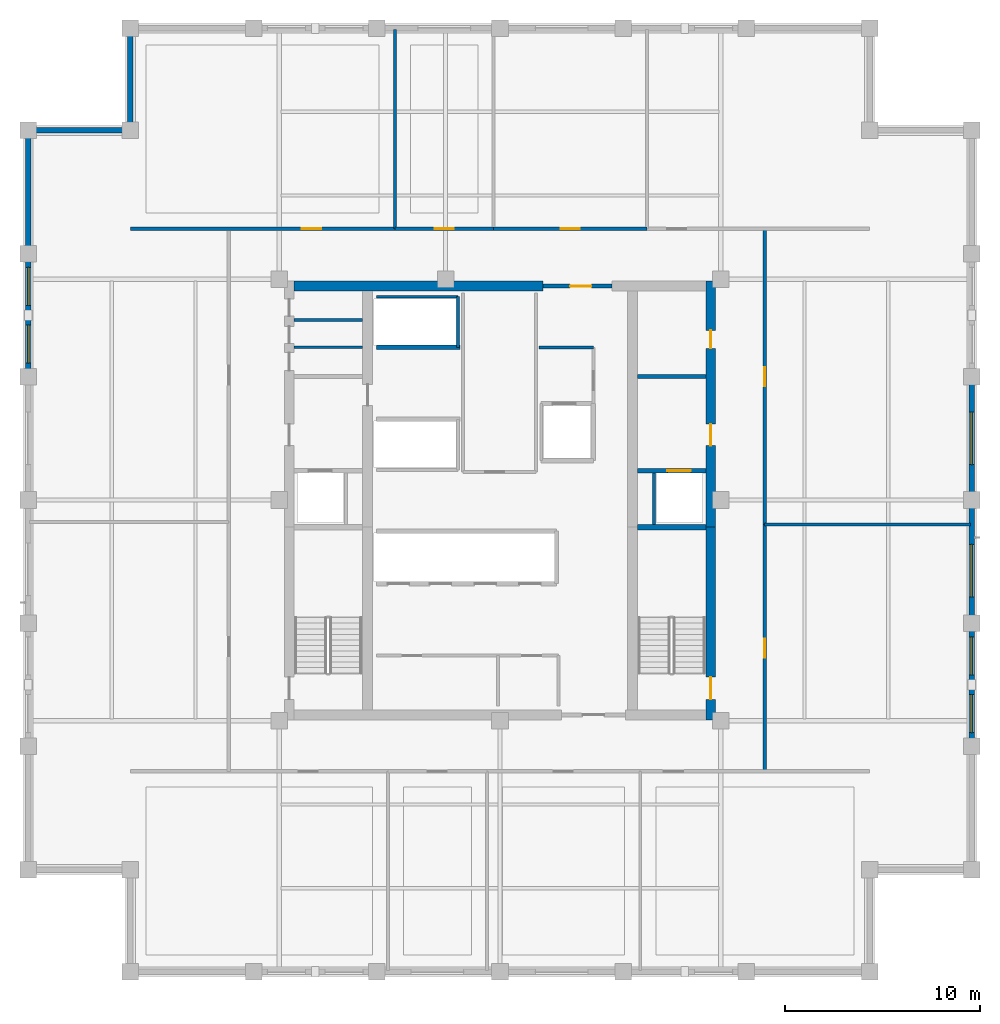
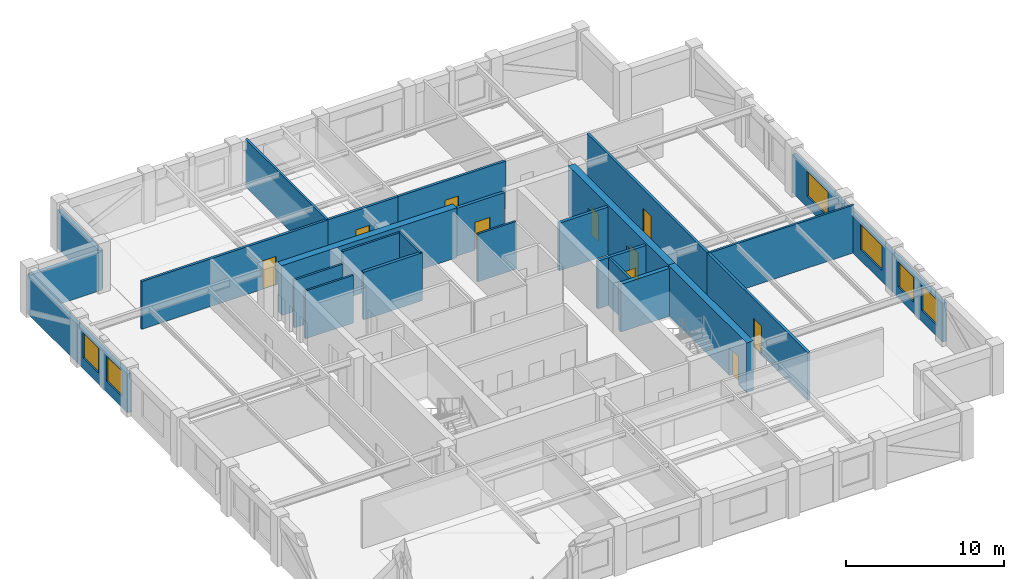
# One storey, part 7 of 11: 28 walls, 10 doors, 6 windows, 16 openings.
"""IFC4 building model written with IfcOpenShell, lengths in metres."""

from ifc_helpers import new_model, si_unit, direction, frame, frame_2d, origin, place, context, subcontext, project, spatial, rectangle, extrude, material, layer, layer_set, type_object, element, fill, save


model = new_model("IFC4")

# Units and contexts
model_context = context("Model", 3, precision=1e-05, world=origin(), true_north=direction((0.0, 1.0)))
body_context = subcontext(model_context, "Body", "Model", "MODEL_VIEW")
ifc_project = project(units=[si_unit("LENGTHUNIT", "METRE"), si_unit("AREAUNIT", "SQUARE_METRE"), si_unit("VOLUMEUNIT", "CUBIC_METRE"), si_unit("PLANEANGLEUNIT", "RADIAN"), si_unit("MASSUNIT", "GRAM", prefix="KILO")], contexts=[model_context])

# Site, building, storey
site_placement = place(None, origin())
site = spatial("IfcSite", under=ifc_project, at=site_placement, CompositionType="ELEMENT")
building_placement = place(site_placement, origin())
building = spatial("IfcBuilding", under=site, at=building_placement, Name="Nhamokura Convention Tower", CompositionType="ELEMENT")
storey_placement = place(building_placement, frame((0.0, 0.0, 198.449951171875)))
storey = spatial("IfcBuildingStorey", under=building, at=storey_placement, Name="L48", CompositionType="ELEMENT", Elevation=198.449951171875)

# Wall
ifc_material_1 = material(Name="Moisture-resistant tile-backer partition", Category="masonry")
ifc_layer_1 = layer(ifc_material_1, 0.139892578125)
ifc_layer_set_1 = layer_set([ifc_layer_1], Name="BathroomWetWall_140")
wall_type_1 = type_object("IfcWallType", Name="BathroomWetWall_140", PredefinedType="STANDARD", material=ifc_layer_set_1)
wall_1_placement = place(storey_placement, frame((21.409912109375, 39.85009765625, 0.0), z_axis=(0.0, 0.0, 1.0), x_axis=(1.0, 0.0, 0.0)))
element("IfcWall", 1, at=wall_1_placement, inside=storey, type_object=wall_type_1, Name="L48 Wall INT-L48-CWNW1", PredefinedType="STANDARD", context=body_context, shape_type="SweptSolid", body=[
    extrude(rectangle(XDim=3.530029296875, YDim=0.139892578125, at=frame_2d((1.76513671875, 0.0))), origin(), (0.0, 0.0, 1.0), 3.68505859375),
])

# Wall, openings, windows
ifc_material_2 = material(Name="Bronze-pigmented precast concrete C45/55", Category="concrete")
ifc_layer_2 = layer(ifc_material_2, 0.280029296875)
ifc_layer_set_2 = layer_set([ifc_layer_2], Name="BronzePrecastSpandrel_280")
wall_type_2 = type_object("IfcWallType", Name="BronzePrecastSpandrel_280", PredefinedType="USERDEFINED", material=ifc_layer_set_2)
wall_2_placement = place(storey_placement, frame((7.75, 38.333251953125, 0.0), z_axis=(0.0, 0.0, 1.0), x_axis=(0.0, 1.0, 0.0)))
wall_2 = element("IfcWall", 2, at=wall_2_placement, inside=storey, type_object=wall_type_2, Name="L48 Masonry-Frame Wall WEST 4", ObjectType="SPANDREL_WALL", PredefinedType="USERDEFINED", context=body_context, shape_type="SweptSolid", body=[
    extrude(rectangle(XDim=6.33349609375, YDim=0.280029296875, at=frame_2d((3.166748046875, 0.0))), origin(), (0.0, 0.0, 1.0), 2.985107421875),
])
opening_1_placement = place(wall_2_placement, frame((0.708251953125, 0.0, 0.85009765625)))
opening_1 = element("IfcOpeningElement", 3, at=opening_1_placement, cuts=wall_2, Name="Opening W-08", PredefinedType="OPENING", context=body_context, shape_type="SweptSolid", body=[
    extrude(rectangle(XDim=1.949951171875, YDim=1.93505859375, at=frame_2d((0.97509765625, 0.967529296875))), frame((0.0, 0.14990234375, 0.0), z_axis=(0.0, -1.0, 0.0), x_axis=(1.0, 0.0, 0.0)), (0.0, 0.0, 1.0), 0.300048828125),
])
opening_2_placement = place(wall_2_placement, frame((3.675048828125, 0.0, 0.85009765625)))
opening_2 = element("IfcOpeningElement", 4, at=opening_2_placement, cuts=wall_2, Name="Opening W-08", PredefinedType="OPENING", context=body_context, shape_type="SweptSolid", body=[
    extrude(rectangle(XDim=1.949951171875, YDim=1.93505859375, at=frame_2d((0.97509765625, 0.967529296875))), frame((0.0, 0.14990234375, 0.0), z_axis=(0.0, -1.0, 0.0), x_axis=(1.0, 0.0, 0.0)), (0.0, 0.0, 1.0), 0.300048828125),
])
ifc_material_3 = material(Name="Solar-control bronze low-E double glass", Category="glass")
window_type_1 = type_object("IfcWindowType", Name="OfficeModuleWindow_Z3_1950", PartitioningType="SINGLE_PANEL", PredefinedType="WINDOW", material=ifc_material_3)
window_1_placement = place(opening_1_placement, origin())
window_1 = element("IfcWindow", 5, at=window_1_placement, inside=storey, type_object=window_type_1, Name="L48 Facade Window WEST 4-1", OverallHeight=1.93505859375, OverallWidth=1.949951171875, PartitioningType="SINGLE_PANEL", PredefinedType="WINDOW", context=body_context, shape_type="SweptSolid", body=[
    extrude(rectangle(XDim=1.949951171875, YDim=1.93505859375, at=frame_2d((0.97509765625, 0.967529296875))), frame((0.0, 0.030029296875, 0.0), z_axis=(0.0, -1.0, 0.0), x_axis=(1.0, 0.0, 0.0)), (0.0, 0.0, 1.0), 0.06005859375),
])
fill(opening_1, window_1)
window_2_placement = place(opening_2_placement, origin())
window_2 = element("IfcWindow", 6, at=window_2_placement, inside=storey, type_object=window_type_1, Name="L48 Facade Window WEST 4-2", OverallHeight=1.93505859375, OverallWidth=1.949951171875, PartitioningType="SINGLE_PANEL", PredefinedType="WINDOW", context=body_context, shape_type="SweptSolid", body=[
    extrude(rectangle(XDim=1.949951171875, YDim=1.93505859375, at=frame_2d((0.97509765625, 0.967529296875))), frame((0.0, 0.030029296875, 0.0), z_axis=(0.0, -1.0, 0.0), x_axis=(1.0, 0.0, 0.0)), (0.0, 0.0, 1.0), 0.06005859375),
])
fill(opening_2, window_2)

# Wall
wall_3_placement = place(storey_placement, frame((7.75, 44.666748046875, 0.0), z_axis=(0.0, 0.0, 1.0), x_axis=(0.0, 1.0, 0.0)))
element("IfcWall", 7, at=wall_3_placement, inside=storey, type_object=wall_type_2, Name="L48 Braced-Bay Precast Wall WEST 5", ObjectType="SPANDREL_WALL", PredefinedType="USERDEFINED", context=body_context, shape_type="SweptSolid", body=[
    extrude(rectangle(XDim=6.333251953125, YDim=0.280029296875, at=frame_2d((3.16650390625, 0.0))), origin(), (0.0, 0.0, 1.0), 2.985107421875),
])

# Wall, openings, windows
wall_4_placement = place(storey_placement, frame((56.25, 25.666748046875, 0.0), z_axis=(0.0, 0.0, 1.0), x_axis=(0.0, -1.0, 0.0)))
wall_4 = element("IfcWall", 8, at=wall_4_placement, inside=storey, type_object=wall_type_2, Name="L48 Masonry-Frame Wall EAST 1", ObjectType="SPANDREL_WALL", PredefinedType="USERDEFINED", context=body_context, shape_type="SweptSolid", body=[
    extrude(rectangle(XDim=6.33349609375, YDim=0.280029296875, at=frame_2d((3.166748046875, 0.0))), origin(), (0.0, 0.0, 1.0), 2.985107421875),
])
opening_3_placement = place(wall_4_placement, frame((0.708251953125, 0.0, 0.85009765625)))
opening_3 = element("IfcOpeningElement", 9, at=opening_3_placement, cuts=wall_4, Name="Opening W-08", PredefinedType="OPENING", context=body_context, shape_type="SweptSolid", body=[
    extrude(rectangle(XDim=1.949951171875, YDim=1.93505859375, at=frame_2d((0.97509765625, 0.967529296875))), frame((0.0, 0.14990234375, 0.0), z_axis=(0.0, -1.0, 0.0), x_axis=(1.0, 0.0, 0.0)), (0.0, 0.0, 1.0), 0.300048828125),
])
opening_4_placement = place(wall_4_placement, frame((3.675048828125, 0.0, 0.85009765625)))
opening_4 = element("IfcOpeningElement", 10, at=opening_4_placement, cuts=wall_4, Name="Opening W-08", PredefinedType="OPENING", context=body_context, shape_type="SweptSolid", body=[
    extrude(rectangle(XDim=1.949951171875, YDim=1.93505859375, at=frame_2d((0.97509765625, 0.967529296875))), frame((0.0, 0.14990234375, 0.0), z_axis=(0.0, -1.0, 0.0), x_axis=(1.0, 0.0, 0.0)), (0.0, 0.0, 1.0), 0.300048828125),
])
window_3_placement = place(opening_3_placement, origin())
window_3 = element("IfcWindow", 11, at=window_3_placement, inside=storey, type_object=window_type_1, Name="L48 Facade Window EAST 1-1", OverallHeight=1.93505859375, OverallWidth=1.949951171875, PartitioningType="SINGLE_PANEL", PredefinedType="WINDOW", context=body_context, shape_type="SweptSolid", body=[
    extrude(rectangle(XDim=1.949951171875, YDim=1.93505859375, at=frame_2d((0.97509765625, 0.967529296875))), frame((0.0, 0.030029296875, 0.0), z_axis=(0.0, -1.0, 0.0), x_axis=(1.0, 0.0, 0.0)), (0.0, 0.0, 1.0), 0.06005859375),
])
fill(opening_3, window_3)
window_4_placement = place(opening_4_placement, origin())
window_4 = element("IfcWindow", 12, at=window_4_placement, inside=storey, type_object=window_type_1, Name="L48 Facade Window EAST 1-2", OverallHeight=1.93505859375, OverallWidth=1.949951171875, PartitioningType="SINGLE_PANEL", PredefinedType="WINDOW", context=body_context, shape_type="SweptSolid", body=[
    extrude(rectangle(XDim=1.949951171875, YDim=1.93505859375, at=frame_2d((0.97509765625, 0.967529296875))), frame((0.0, 0.030029296875, 0.0), z_axis=(0.0, -1.0, 0.0), x_axis=(1.0, 0.0, 0.0)), (0.0, 0.0, 1.0), 0.06005859375),
])
fill(opening_4, window_4)

# Wall, opening, window
wall_5_placement = place(storey_placement, frame((56.25, 32.0, 0.0), z_axis=(0.0, 0.0, 1.0), x_axis=(0.0, -1.0, 0.0)))
wall_5 = element("IfcWall", 13, at=wall_5_placement, inside=storey, type_object=wall_type_2, Name="L48 Masonry-Frame Wall EAST 2", ObjectType="SPANDREL_WALL", PredefinedType="USERDEFINED", context=body_context, shape_type="SweptSolid", body=[
    extrude(rectangle(XDim=6.333251953125, YDim=0.280029296875, at=frame_2d((3.16650390625, 0.0))), origin(), (0.0, 0.0, 1.0), 2.985107421875),
])
opening_5_placement = place(wall_5_placement, frame((2.279296875, 0.0, 0.85009765625)))
opening_5 = element("IfcOpeningElement", 14, at=opening_5_placement, cuts=wall_5, Name="Opening W-07", PredefinedType="OPENING", context=body_context, shape_type="SweptSolid", body=[
    extrude(rectangle(XDim=2.699951171875, YDim=1.93505859375, at=frame_2d((1.35009765625, 0.967529296875))), frame((0.0, 0.14990234375, 0.0), z_axis=(0.0, -1.0, 0.0), x_axis=(1.0, 0.0, 0.0)), (0.0, 0.0, 1.0), 0.300048828125),
])
ifc_material_4 = material(Name="Solar-control bronze low-E double glass", Category="glass")
window_type_2 = type_object("IfcWindowType", Name="OfficeModuleWindow_Z3_2700", PartitioningType="DOUBLE_PANEL_VERTICAL", PredefinedType="WINDOW", material=ifc_material_4)
window_5_placement = place(opening_5_placement, origin())
window_5 = element("IfcWindow", 15, at=window_5_placement, inside=storey, type_object=window_type_2, Name="L48 Facade Window EAST 2-2", OverallHeight=1.93505859375, OverallWidth=2.699951171875, PartitioningType="SINGLE_PANEL", PredefinedType="WINDOW", context=body_context, shape_type="SweptSolid", body=[
    extrude(rectangle(XDim=2.699951171875, YDim=1.93505859375, at=frame_2d((1.35009765625, 0.967529296875))), frame((0.0, 0.030029296875, 0.0), z_axis=(0.0, -1.0, 0.0), x_axis=(1.0, 0.0, 0.0)), (0.0, 0.0, 1.0), 0.06005859375),
])
fill(opening_5, window_5)

wall_6_placement = place(storey_placement, frame((56.25, 38.333251953125, 0.0), z_axis=(0.0, 0.0, 1.0), x_axis=(0.0, -1.0, 0.0)))
wall_6 = element("IfcWall", 16, at=wall_6_placement, inside=storey, type_object=wall_type_2, Name="L48 Masonry-Frame Wall EAST 3", ObjectType="SPANDREL_WALL", PredefinedType="USERDEFINED", context=body_context, shape_type="SweptSolid", body=[
    extrude(rectangle(XDim=6.333251953125, YDim=0.280029296875, at=frame_2d((3.16650390625, 0.0))), origin(), (0.0, 0.0, 1.0), 2.985107421875),
])
opening_6_placement = place(wall_6_placement, frame((1.816650390625, 0.0, 0.85009765625)))
opening_6 = element("IfcOpeningElement", 17, at=opening_6_placement, cuts=wall_6, Name="Opening W-07", PredefinedType="OPENING", context=body_context, shape_type="SweptSolid", body=[
    extrude(rectangle(XDim=2.699951171875, YDim=1.93505859375, at=frame_2d((1.35009765625, 0.967529296875))), frame((0.0, 0.14990234375, 0.0), z_axis=(0.0, -1.0, 0.0), x_axis=(1.0, 0.0, 0.0)), (0.0, 0.0, 1.0), 0.300048828125),
])
window_6_placement = place(opening_6_placement, origin())
window_6 = element("IfcWindow", 18, at=window_6_placement, inside=storey, type_object=window_type_2, Name="L48 Facade Window EAST 3", OverallHeight=1.93505859375, OverallWidth=2.699951171875, PartitioningType="SINGLE_PANEL", PredefinedType="WINDOW", context=body_context, shape_type="SweptSolid", body=[
    extrude(rectangle(XDim=2.699951171875, YDim=1.93505859375, at=frame_2d((1.35009765625, 0.967529296875))), frame((0.0, 0.030029296875, 0.0), z_axis=(0.0, -1.0, 0.0), x_axis=(1.0, 0.0, 0.0)), (0.0, 0.0, 1.0), 0.06005859375),
])
fill(opening_6, window_6)

# Walls
for number, where, z_axis, x_axis, name in (
    (19, (13.0, 51.0, 0.0), (0.0, 0.0, 1.0), (0.0, 1.0, 0.0), "L48 Notched Corner Wall NW1"),
    (20, (7.75, 51.0, 0.0), (0.0, 0.0, 1.0), (1.0, 0.0, 0.0), "L48 Notched Corner Wall NW2"),
):
    element("IfcWall", number, at=place(storey_placement, frame(where, z_axis=z_axis, x_axis=x_axis)), inside=storey, type_object=wall_type_2, Name=name, ObjectType="SPANDREL_WALL", PredefinedType="USERDEFINED", context=body_context, shape_type="SweptSolid", body=[
        extrude(rectangle(XDim=5.25, YDim=0.280029296875, at=frame_2d((2.625, 0.0))), origin(), (0.0, 0.0, 1.0), 2.985107421875),
    ])

# Wall, opening, door
ifc_material_5 = material(Name="Concrete C60/75", Category="concrete")
ifc_layer_3 = layer(ifc_material_5, 0.5)
ifc_layer_set_3 = layer_set([ifc_layer_3], Name="CoreShearWall_500")
wall_type_3 = type_object("IfcWallType", Name="CoreShearWall_500", PredefinedType="SHEAR", material=ifc_layer_set_3)
wall_7_placement = place(storey_placement, frame((42.840087890625, 20.699951171875, 0.0), z_axis=(0.0, 0.0, 1.0), x_axis=(0.0, 1.0, 0.0)))
wall_7 = element("IfcWall", 21, at=wall_7_placement, inside=storey, type_object=wall_type_3, Name="L48 Core Shear Wall CW-ES", PredefinedType="SHEAR", context=body_context, shape_type="SweptSolid", body=[
    extrude(rectangle(XDim=9.900146484375, YDim=0.5, at=frame_2d((4.9501953125, 0.0))), origin(), (0.0, 0.0, 1.0), 3.85009765625),
])
opening_7_placement = place(wall_7_placement, frame((1.050048828125, 0.0, 0.0)))
opening_7 = element("IfcOpeningElement", 22, at=opening_7_placement, cuts=wall_7, Name="Opening D-04", PredefinedType="OPENING", context=body_context, shape_type="SweptSolid", body=[
    extrude(rectangle(XDim=1.14990234375, YDim=2.14990234375, at=frame_2d((0.574951171875, 1.074951171875))), frame((0.0, 0.260009765625, 0.0), z_axis=(0.0, -1.0, 0.0), x_axis=(1.0, 0.0, 0.0)), (0.0, 0.0, 1.0), 0.52001953125),
])
ifc_material_6 = material(Name="Fire-rated steel door", Category="steel")
door_type_1 = type_object("IfcDoorType", Name="StairSmokeDoor_1150", OperationType="NOTDEFINED", PredefinedType="DOOR", material=ifc_material_6)
door_1_placement = place(opening_7_placement, origin())
door_1 = element("IfcDoor", 23, at=door_1_placement, inside=storey, type_object=door_type_1, Name="L48 Core Door INT-L48-D-ST02", OperationType="SINGLE_SWING_RIGHT", OverallHeight=2.14990234375, OverallWidth=1.14990234375, PredefinedType="DOOR", context=body_context, shape_type="SweptSolid", body=[
    extrude(rectangle(XDim=1.14990234375, YDim=2.14990234375, at=frame_2d((0.574951171875, 1.074951171875))), frame((0.0, 0.02490234375, 0.0), z_axis=(0.0, -1.0, 0.0), x_axis=(1.0, 0.0, 0.0)), (0.0, 0.0, 1.0), 0.050048828125),
])
fill(opening_7, door_1)

# Wall, openings, doors
wall_8_placement = place(storey_placement, frame((42.840087890625, 30.60009765625, 0.0), z_axis=(0.0, 0.0, 1.0), x_axis=(0.0, 1.0, 0.0)))
wall_8 = element("IfcWall", 24, at=wall_8_placement, inside=storey, type_object=wall_type_3, Name="L48 Core Shear Wall CW-EN", PredefinedType="SHEAR", context=body_context, shape_type="SweptSolid", body=[
    extrude(rectangle(XDim=12.64990234375, YDim=0.5, at=frame_2d((6.324951171875, 0.0))), origin(), (0.0, 0.0, 1.0), 3.85009765625),
])
opening_8_placement = place(wall_8_placement, frame((4.199951171875, 0.0, 0.0)))
opening_8 = element("IfcOpeningElement", 25, at=opening_8_placement, cuts=wall_8, Name="Opening D-05", PredefinedType="OPENING", context=body_context, shape_type="SweptSolid", body=[
    extrude(rectangle(XDim=1.10009765625, YDim=2.14990234375, at=frame_2d((0.550048828125, 1.074951171875))), frame((0.0, 0.260009765625, 0.0), z_axis=(0.0, -1.0, 0.0), x_axis=(1.0, 0.0, 0.0)), (0.0, 0.0, 1.0), 0.52001953125),
])
opening_9_placement = place(wall_8_placement, frame((9.199951171875, 0.0, 0.0)))
opening_9 = element("IfcOpeningElement", 26, at=opening_9_placement, cuts=wall_8, Name="Opening D-10", PredefinedType="OPENING", context=body_context, shape_type="SweptSolid", body=[
    extrude(rectangle(XDim=0.919921875, YDim=2.10009765625, at=frame_2d((0.4599609375, 1.050048828125))), frame((0.0, 0.260009765625, 0.0), z_axis=(0.0, -1.0, 0.0), x_axis=(1.0, 0.0, 0.0)), (0.0, 0.0, 1.0), 0.52001953125),
])
ifc_material_7 = material(Name="Solid oak hardwood", Category="wood")
door_type_2 = type_object("IfcDoorType", Name="AccessibleWCDoor_920", OperationType="NOTDEFINED", PredefinedType="DOOR", material=ifc_material_7)
door_2_placement = place(opening_9_placement, origin())
door_2 = element("IfcDoor", 27, at=door_2_placement, inside=storey, type_object=door_type_2, Name="L48 Core Door INT-L48-D-UWC", OperationType="SINGLE_SWING_RIGHT", OverallHeight=2.10009765625, OverallWidth=0.919921875, PredefinedType="DOOR", context=body_context, shape_type="SweptSolid", body=[
    extrude(rectangle(XDim=0.919921875, YDim=2.10009765625, at=frame_2d((0.4599609375, 1.050048828125))), frame((0.0, 0.02490234375, 0.0), z_axis=(0.0, -1.0, 0.0), x_axis=(1.0, 0.0, 0.0)), (0.0, 0.0, 1.0), 0.050048828125),
])
fill(opening_9, door_2)
ifc_material_8 = material(Name="Fire-rated steel door", Category="steel")
door_type_3 = type_object("IfcDoorType", Name="FireLobbyDoor_1100", OperationType="NOTDEFINED", PredefinedType="DOOR", material=ifc_material_8)
door_3_placement = place(opening_8_placement, origin())
door_3 = element("IfcDoor", 28, at=door_3_placement, inside=storey, type_object=door_type_3, Name="L48 Core Door INT-L48-D-FFLE", OperationType="SINGLE_SWING_LEFT", OverallHeight=2.14990234375, OverallWidth=1.10009765625, PredefinedType="DOOR", context=body_context, shape_type="SweptSolid", body=[
    extrude(rectangle(XDim=1.10009765625, YDim=2.14990234375, at=frame_2d((0.550048828125, 1.074951171875))), frame((0.0, 0.02490234375, 0.0), z_axis=(0.0, -1.0, 0.0), x_axis=(1.0, 0.0, 0.0)), (0.0, 0.0, 1.0), 0.050048828125),
])
fill(opening_8, door_3)

# Wall
wall_9_placement = place(storey_placement, frame((21.409912109375, 43.0, 0.0), z_axis=(0.0, 0.0, 1.0), x_axis=(1.0, 0.0, 0.0)))
element("IfcWall", 29, at=wall_9_placement, inside=storey, type_object=wall_type_3, Name="L48 Core Shear Wall CW-N1", PredefinedType="SHEAR", context=body_context, shape_type="SweptSolid", body=[
    extrude(rectangle(XDim=12.7900390625, YDim=0.5, at=frame_2d((6.39501953125, 0.0))), origin(), (0.0, 0.0, 1.0), 3.85009765625),
])

# Wall, opening, door
ifc_material_9 = material(Name="Fire-rated gypsum and masonry partition", Category="masonry")
ifc_layer_4 = layer(ifc_material_9, 0.179931640625)
ifc_layer_set_4 = layer_set([ifc_layer_4], Name="CorridorRatedWall_180")
wall_type_4 = type_object("IfcWallType", Name="CorridorRatedWall_180", PredefinedType="STANDARD", material=ifc_layer_set_4)
wall_10_placement = place(storey_placement, frame((13.0, 45.949951171875, 0.0), z_axis=(0.0, 0.0, 1.0), x_axis=(1.0, 0.0, 0.0)))
wall_10 = element("IfcWall", 30, at=wall_10_placement, inside=storey, type_object=wall_type_4, Name="L48 Wall INT-L48-CW-N00", PredefinedType="STANDARD", context=body_context, shape_type="SweptSolid", body=[
    extrude(rectangle(XDim=13.591796875, YDim=0.179931640625, at=frame_2d((6.7958984375, 0.0))), origin(), (0.0, 0.0, 1.0), 3.68505859375),
])
opening_10_placement = place(wall_10_placement, frame((8.82080078125, 0.0, 0.0)))
opening_10 = element("IfcOpeningElement", 31, at=opening_10_placement, cuts=wall_10, Name="Opening D-08", PredefinedType="OPENING", context=body_context, shape_type="SweptSolid", body=[
    extrude(rectangle(XDim=0.97998046875, YDim=2.199951171875, at=frame_2d((0.489990234375, 1.10009765625))), frame((0.0, 0.099853515625, 0.0), z_axis=(0.0, -1.0, 0.0), x_axis=(1.0, 0.0, 0.0)), (0.0, 0.0, 1.0), 0.199951171875),
])
ifc_material_10 = material(Name="Solid oak hardwood", Category="wood")
door_type_4 = type_object("IfcDoorType", Name="OfficeEntryDoor_980", OperationType="NOTDEFINED", PredefinedType="DOOR", material=ifc_material_10)
door_4_placement = place(opening_10_placement, origin())
door_4 = element("IfcDoor", 32, at=door_4_placement, inside=storey, type_object=door_type_4, Name="L48 Law Library N01 Door", OperationType="SINGLE_SWING_LEFT", OverallHeight=2.199951171875, OverallWidth=0.97998046875, PredefinedType="DOOR", context=body_context, shape_type="SweptSolid", body=[
    extrude(rectangle(XDim=0.97998046875, YDim=2.199951171875, at=frame_2d((0.489990234375, 1.10009765625))), frame((0.0, 0.02490234375, 0.0), z_axis=(0.0, -1.0, 0.0), x_axis=(1.0, 0.0, 0.0)), (0.0, 0.0, 1.0), 0.050048828125),
])
fill(opening_10, door_4)

wall_11_placement = place(storey_placement, frame((26.591796875, 45.949951171875, 0.0), z_axis=(0.0, 0.0, 1.0), x_axis=(1.0, 0.0, 0.0)))
wall_11 = element("IfcWall", 33, at=wall_11_placement, inside=storey, type_object=wall_type_4, Name="L48 Wall INT-L48-CW-N01", PredefinedType="STANDARD", context=body_context, shape_type="SweptSolid", body=[
    extrude(rectangle(XDim=5.083251953125, YDim=0.179931640625, at=frame_2d((2.54150390625, 0.0))), origin(), (0.0, 0.0, 1.0), 3.68505859375),
])
opening_11_placement = place(wall_11_placement, frame((2.041748046875, 0.0, 0.0)))
opening_11 = element("IfcOpeningElement", 34, at=opening_11_placement, cuts=wall_11, Name="Opening D-08", PredefinedType="OPENING", context=body_context, shape_type="SweptSolid", body=[
    extrude(rectangle(XDim=0.97998046875, YDim=2.199951171875, at=frame_2d((0.489990234375, 1.10009765625))), frame((0.0, 0.099853515625, 0.0), z_axis=(0.0, -1.0, 0.0), x_axis=(1.0, 0.0, 0.0)), (0.0, 0.0, 1.0), 0.199951171875),
])
door_5_placement = place(opening_11_placement, origin())
door_5 = element("IfcDoor", 35, at=door_5_placement, inside=storey, type_object=door_type_4, Name="L48 Boardroom N02 Door", OperationType="SINGLE_SWING_RIGHT", OverallHeight=2.199951171875, OverallWidth=0.97998046875, PredefinedType="DOOR", context=body_context, shape_type="SweptSolid", body=[
    extrude(rectangle(XDim=0.97998046875, YDim=2.199951171875, at=frame_2d((0.489990234375, 1.10009765625))), frame((0.0, 0.02490234375, 0.0), z_axis=(0.0, -1.0, 0.0), x_axis=(1.0, 0.0, 0.0)), (0.0, 0.0, 1.0), 0.050048828125),
])
fill(opening_11, door_5)

wall_12_placement = place(storey_placement, frame((31.675048828125, 45.949951171875, 0.0), z_axis=(0.0, 0.0, 1.0), x_axis=(1.0, 0.0, 0.0)))
wall_12 = element("IfcWall", 36, at=wall_12_placement, inside=storey, type_object=wall_type_4, Name="L48 Wall INT-L48-CW-N02", PredefinedType="STANDARD", context=body_context, shape_type="SweptSolid", body=[
    extrude(rectangle(XDim=7.88330078125, YDim=0.179931640625, at=frame_2d((3.941650390625, 0.0))), origin(), (0.0, 0.0, 1.0), 3.68505859375),
])
opening_12_placement = place(wall_12_placement, frame((3.441650390625, 0.0, 0.0)))
opening_12 = element("IfcOpeningElement", 37, at=opening_12_placement, cuts=wall_12, Name="Opening D-08", PredefinedType="OPENING", context=body_context, shape_type="SweptSolid", body=[
    extrude(rectangle(XDim=0.97998046875, YDim=2.199951171875, at=frame_2d((0.489990234375, 1.10009765625))), frame((0.0, 0.099853515625, 0.0), z_axis=(0.0, -1.0, 0.0), x_axis=(1.0, 0.0, 0.0)), (0.0, 0.0, 1.0), 0.199951171875),
])
door_6_placement = place(opening_12_placement, origin())
door_6 = element("IfcDoor", 38, at=door_6_placement, inside=storey, type_object=door_type_4, Name="L48 Private Office N03 Door", OperationType="SINGLE_SWING_LEFT", OverallHeight=2.199951171875, OverallWidth=0.97998046875, PredefinedType="DOOR", context=body_context, shape_type="SweptSolid", body=[
    extrude(rectangle(XDim=0.97998046875, YDim=2.199951171875, at=frame_2d((0.489990234375, 1.10009765625))), frame((0.0, 0.02490234375, 0.0), z_axis=(0.0, -1.0, 0.0), x_axis=(1.0, 0.0, 0.0)), (0.0, 0.0, 1.0), 0.050048828125),
])
fill(opening_12, door_6)

wall_13_placement = place(storey_placement, frame((45.60009765625, 18.050048828125, 0.0), z_axis=(0.0, 0.0, 1.0), x_axis=(0.0, 1.0, 0.0)))
wall_13 = element("IfcWall", 39, at=wall_13_placement, inside=storey, type_object=wall_type_4, Name="L48 Wall INT-L48-CW-E00", PredefinedType="STANDARD", context=body_context, shape_type="SweptSolid", body=[
    extrude(rectangle(XDim=12.699951171875, YDim=0.179931640625, at=frame_2d((6.35009765625, 0.0))), origin(), (0.0, 0.0, 1.0), 3.68505859375),
])
opening_13_placement = place(wall_13_placement, frame((5.85009765625, 0.0, 0.0)))
opening_13 = element("IfcOpeningElement", 40, at=opening_13_placement, cuts=wall_13, Name="Opening D-08", PredefinedType="OPENING", context=body_context, shape_type="SweptSolid", body=[
    extrude(rectangle(XDim=0.97998046875, YDim=2.199951171875, at=frame_2d((0.489990234375, 1.10009765625))), frame((0.0, 0.099853515625, 0.0), z_axis=(0.0, -1.0, 0.0), x_axis=(1.0, 0.0, 0.0)), (0.0, 0.0, 1.0), 0.199951171875),
])
door_7_placement = place(opening_13_placement, origin())
door_7 = element("IfcDoor", 41, at=door_7_placement, inside=storey, type_object=door_type_4, Name="L48 Open Plan Office E01 Door", OperationType="SINGLE_SWING_LEFT", OverallHeight=2.199951171875, OverallWidth=0.97998046875, PredefinedType="DOOR", context=body_context, shape_type="SweptSolid", body=[
    extrude(rectangle(XDim=0.97998046875, YDim=2.199951171875, at=frame_2d((0.489990234375, 1.10009765625))), frame((0.0, 0.02490234375, 0.0), z_axis=(0.0, -1.0, 0.0), x_axis=(1.0, 0.0, 0.0)), (0.0, 0.0, 1.0), 0.050048828125),
])
fill(opening_13, door_7)

wall_14_placement = place(storey_placement, frame((45.60009765625, 30.75, 0.0), z_axis=(0.0, 0.0, 1.0), x_axis=(0.0, 1.0, 0.0)))
wall_14 = element("IfcWall", 42, at=wall_14_placement, inside=storey, type_object=wall_type_4, Name="L48 Wall INT-L48-CW-E01", PredefinedType="STANDARD", context=body_context, shape_type="SweptSolid", body=[
    extrude(rectangle(XDim=15.199951171875, YDim=0.179931640625, at=frame_2d((7.60009765625, 0.0))), origin(), (0.0, 0.0, 1.0), 3.68505859375),
])
opening_14_placement = place(wall_14_placement, frame((7.10009765625, 0.0, 0.0)))
opening_14 = element("IfcOpeningElement", 43, at=opening_14_placement, cuts=wall_14, Name="Opening D-08", PredefinedType="OPENING", context=body_context, shape_type="SweptSolid", body=[
    extrude(rectangle(XDim=0.97998046875, YDim=2.199951171875, at=frame_2d((0.489990234375, 1.10009765625))), frame((0.0, 0.099853515625, 0.0), z_axis=(0.0, -1.0, 0.0), x_axis=(1.0, 0.0, 0.0)), (0.0, 0.0, 1.0), 0.199951171875),
])
door_8_placement = place(opening_14_placement, origin())
door_8 = element("IfcDoor", 44, at=door_8_placement, inside=storey, type_object=door_type_4, Name="L48 Collaboration Lounge E02 Door", OperationType="SINGLE_SWING_RIGHT", OverallHeight=2.199951171875, OverallWidth=0.97998046875, PredefinedType="DOOR", context=body_context, shape_type="SweptSolid", body=[
    extrude(rectangle(XDim=0.97998046875, YDim=2.199951171875, at=frame_2d((0.489990234375, 1.10009765625))), frame((0.0, 0.02490234375, 0.0), z_axis=(0.0, -1.0, 0.0), x_axis=(1.0, 0.0, 0.0)), (0.0, 0.0, 1.0), 0.050048828125),
])
fill(opening_14, door_8)

ifc_material_11 = material(Name="Autoclaved concrete blockwork", Category="masonry")
ifc_layer_5 = layer(ifc_material_11, 0.219970703125)
ifc_layer_set_5 = layer_set([ifc_layer_5], Name="FireLobbyWall_220")
wall_type_5 = type_object("IfcWallType", Name="FireLobbyWall_220", PredefinedType="STANDARD", material=ifc_layer_set_5)
wall_15_placement = place(storey_placement, frame((39.06005859375, 33.5, 0.0), z_axis=(0.0, 0.0, 1.0), x_axis=(1.0, 0.0, 0.0)))
wall_15 = element("IfcWall", 45, at=wall_15_placement, inside=storey, type_object=wall_type_5, Name="L48 Wall INT-L48-FFE-S", PredefinedType="STANDARD", context=body_context, shape_type="SweptSolid", body=[
    extrude(rectangle(XDim=3.530029296875, YDim=0.219970703125, at=frame_2d((1.76513671875, 0.0))), origin(), (0.0, 0.0, 1.0), 3.68505859375),
])
opening_15_placement = place(wall_15_placement, frame((1.550048828125, 0.0, 0.0)))
opening_15 = element("IfcOpeningElement", 46, at=opening_15_placement, cuts=wall_15, Name="Opening LD-02", PredefinedType="OPENING", context=body_context, shape_type="SweptSolid", body=[
    extrude(rectangle(XDim=1.199951171875, YDim=2.199951171875, at=frame_2d((0.60009765625, 1.10009765625))), frame((0.0, 0.119873046875, 0.0), z_axis=(0.0, -1.0, 0.0), x_axis=(1.0, 0.0, 0.0)), (0.0, 0.0, 1.0), 0.239990234375),
])
ifc_material_12 = material(Name="Anodised bronze stainless steel", Category="steel")
door_type_5 = type_object("IfcDoorType", Name="LiftLandingDoor_FireService", OperationType="DOUBLE_DOOR_SLIDING", PredefinedType="DOOR", material=ifc_material_12)
door_9_placement = place(opening_15_placement, origin())
door_9 = element("IfcDoor", 47, at=door_9_placement, inside=storey, type_object=door_type_5, Name="L48 Firefighting Lift LF-02 Door", OperationType="DOUBLE_DOOR_SLIDING", OverallHeight=2.199951171875, OverallWidth=1.199951171875, PredefinedType="DOOR", context=body_context, shape_type="SweptSolid", body=[
    extrude(rectangle(XDim=1.199951171875, YDim=2.199951171875, at=frame_2d((0.60009765625, 1.10009765625))), frame((0.0, 0.02490234375, 0.0), z_axis=(0.0, -1.0, 0.0), x_axis=(1.0, 0.0, 0.0)), (0.0, 0.0, 1.0), 0.050048828125),
])
fill(opening_15, door_9)

# Walls
wall_16_placement = place(storey_placement, frame((39.06005859375, 38.35009765625, 0.0), z_axis=(0.0, 0.0, 1.0), x_axis=(1.0, 0.0, 0.0)))
element("IfcWall", 48, at=wall_16_placement, inside=storey, type_object=wall_type_5, Name="L48 Wall INT-L48-FFE-N", PredefinedType="STANDARD", context=body_context, shape_type="SweptSolid", body=[
    extrude(rectangle(XDim=3.530029296875, YDim=0.219970703125, at=frame_2d((1.76513671875, 0.0))), origin(), (0.0, 0.0, 1.0), 3.68505859375),
])
wall_17_placement = place(storey_placement, frame((25.64990234375, 39.85009765625, 0.0), z_axis=(0.0, 0.0, 1.0), x_axis=(1.0, 0.0, 0.0)))
element("IfcWall", 49, at=wall_17_placement, inside=storey, type_object=wall_type_5, Name="L48 Wall INT-L48-B3N", PredefinedType="STANDARD", context=body_context, shape_type="SweptSolid", body=[
    extrude(rectangle(XDim=4.300048828125, YDim=0.219970703125, at=frame_2d((2.14990234375, 0.0))), origin(), (0.0, 0.0, 1.0), 3.68505859375),
])

# Wall, opening, door
wall_18_placement = place(storey_placement, frame((34.199951171875, 43.0, 0.0), z_axis=(0.0, 0.0, 1.0), x_axis=(1.0, 0.0, 0.0)))
wall_18 = element("IfcWall", 50, at=wall_18_placement, inside=storey, type_object=wall_type_5, Name="L48 Wall INT-L48-CPORT-N", PredefinedType="STANDARD", context=body_context, shape_type="SweptSolid", body=[
    extrude(rectangle(XDim=3.550048828125, YDim=0.219970703125, at=frame_2d((1.77490234375, 0.0))), origin(), (0.0, 0.0, 1.0), 3.68505859375),
])
opening_16_placement = place(wall_18_placement, frame((1.39990234375, 0.0, 0.0)))
opening_16 = element("IfcOpeningElement", 51, at=opening_16_placement, cuts=wall_18, Name="Opening D-05", PredefinedType="OPENING", context=body_context, shape_type="SweptSolid", body=[
    extrude(rectangle(XDim=1.10009765625, YDim=2.14990234375, at=frame_2d((0.550048828125, 1.074951171875))), frame((0.0, 0.119873046875, 0.0), z_axis=(0.0, -1.0, 0.0), x_axis=(1.0, 0.0, 0.0)), (0.0, 0.0, 1.0), 0.239990234375),
])
door_10_placement = place(opening_16_placement, origin())
door_10 = element("IfcDoor", 52, at=door_10_placement, inside=storey, type_object=door_type_3, Name="L48 North Core Lobby Portal Door", OperationType="SINGLE_SWING_RIGHT", OverallHeight=2.14990234375, OverallWidth=1.10009765625, PredefinedType="DOOR", context=body_context, shape_type="SweptSolid", body=[
    extrude(rectangle(XDim=1.10009765625, YDim=2.14990234375, at=frame_2d((0.550048828125, 1.074951171875))), frame((0.0, 0.02490234375, 0.0), z_axis=(0.0, -1.0, 0.0), x_axis=(1.0, 0.0, 0.0)), (0.0, 0.0, 1.0), 0.050048828125),
])
fill(opening_16, door_10)

# Walls
ifc_material_13 = material(Name="Acoustic gypsum stud partition", Category="masonry")
ifc_layer_6 = layer(ifc_material_13, 0.14990234375)
ifc_layer_set_6 = layer_set([ifc_layer_6], Name="InteriorPartition_150")
wall_type_6 = type_object("IfcWallType", Name="InteriorPartition_150", PredefinedType="STANDARD", material=ifc_layer_set_6)
wall_19_placement = place(storey_placement, frame((39.919921875, 30.75, 0.0), z_axis=(0.0, 0.0, 1.0), x_axis=(0.0, 1.0, 0.0)))
element("IfcWall", 53, at=wall_19_placement, inside=storey, type_object=wall_type_6, Name="L48 Wall INT-L48-FF2-W", PredefinedType="STANDARD", context=body_context, shape_type="SweptSolid", body=[
    extrude(rectangle(XDim=2.64990234375, YDim=0.14990234375, at=frame_2d((1.324951171875, 0.0))), origin(), (0.0, 0.0, 1.0), 3.68505859375),
])
wall_20_placement = place(storey_placement, frame((21.409912109375, 41.25, 0.0), z_axis=(0.0, 0.0, 1.0), x_axis=(1.0, 0.0, 0.0)))
element("IfcWall", 54, at=wall_20_placement, inside=storey, type_object=wall_type_6, Name="L48 Wall INT-L48-CWNW2", PredefinedType="STANDARD", context=body_context, shape_type="SweptSolid", body=[
    extrude(rectangle(XDim=3.530029296875, YDim=0.14990234375, at=frame_2d((1.76513671875, 0.0))), origin(), (0.0, 0.0, 1.0), 3.68505859375),
])
wall_21_placement = place(storey_placement, frame((34.0, 39.85009765625, 0.0), z_axis=(0.0, 0.0, 1.0), x_axis=(1.0, 0.0, 0.0)))
element("IfcWall", 55, at=wall_21_placement, inside=storey, type_object=wall_type_6, Name="L48 Wall INT-L48-NE-TELN", PredefinedType="STANDARD", context=body_context, shape_type="SweptSolid", body=[
    extrude(rectangle(XDim=2.800048828125, YDim=0.14990234375, at=frame_2d((1.39990234375, 0.0))), origin(), (0.0, 0.0, 1.0), 3.68505859375),
])
wall_22_placement = place(storey_placement, frame((25.64990234375, 42.449951171875, 0.0), z_axis=(0.0, 0.0, 1.0), x_axis=(1.0, 0.0, 0.0)))
element("IfcWall", 56, at=wall_22_placement, inside=storey, type_object=wall_type_6, Name="L48 Wall INT-L48-B3B-N", PredefinedType="STANDARD", context=body_context, shape_type="SweptSolid", body=[
    extrude(rectangle(XDim=4.2001953125, YDim=0.14990234375, at=frame_2d((2.10009765625, 0.0))), origin(), (0.0, 0.0, 1.0), 3.68505859375),
])
wall_23_placement = place(storey_placement, frame((29.85009765625, 39.85009765625, 0.0), z_axis=(0.0, 0.0, 1.0), x_axis=(0.0, 1.0, 0.0)))
element("IfcWall", 57, at=wall_23_placement, inside=storey, type_object=wall_type_6, Name="L48 Wall INT-L48-B3B-E", PredefinedType="STANDARD", context=body_context, shape_type="SweptSolid", body=[
    extrude(rectangle(XDim=2.599853515625, YDim=0.14990234375, at=frame_2d((1.2998046875, 0.0))), origin(), (0.0, 0.0, 1.0), 3.68505859375),
])
wall_24_placement = place(storey_placement, frame((26.591796875, 45.949951171875, 0.0), z_axis=(0.0, 0.0, 1.0), x_axis=(0.0, 1.0, 0.0)))
element("IfcWall", 58, at=wall_24_placement, inside=storey, type_object=wall_type_6, Name="L48 Wall INT-L48-RW-N01", PredefinedType="STANDARD", context=body_context, shape_type="SweptSolid", body=[
    extrude(rectangle(XDim=10.239990234375, YDim=0.14990234375, at=frame_2d((5.1201171875, 0.0))), origin(), (0.0, 0.0, 1.0), 3.68505859375),
])
wall_25_placement = place(storey_placement, frame((45.60009765625, 30.75, 0.0), z_axis=(0.0, 0.0, 1.0), x_axis=(1.0, 0.0, 0.0)))
element("IfcWall", 59, at=wall_25_placement, inside=storey, type_object=wall_type_6, Name="L48 Wall INT-L48-RW-E01", PredefinedType="STANDARD", context=body_context, shape_type="SweptSolid", body=[
    extrude(rectangle(XDim=10.58984375, YDim=0.14990234375, at=frame_2d((5.294921875, 0.0))), origin(), (0.0, 0.0, 1.0), 3.68505859375),
])
ifc_material_14 = material(Name="Concrete C50/60", Category="concrete")
ifc_layer_7 = layer(ifc_material_14, 0.300048828125)
ifc_layer_set_7 = layer_set([ifc_layer_7], Name="ShaftEnclosureWall_300")
wall_type_7 = type_object("IfcWallType", Name="ShaftEnclosureWall_300", PredefinedType="SHEAR", material=ifc_layer_set_7)
wall_26_placement = place(storey_placement, frame((39.06005859375, 30.60009765625, 0.0), z_axis=(0.0, 0.0, 1.0), x_axis=(1.0, 0.0, 0.0)))
element("IfcWall", 60, at=wall_26_placement, inside=storey, type_object=wall_type_7, Name="L48 Wall INT-L48-ST02-N", PredefinedType="SHEAR", context=body_context, shape_type="SweptSolid", body=[
    extrude(rectangle(XDim=3.530029296875, YDim=0.300048828125, at=frame_2d((1.76513671875, 0.0))), origin(), (0.0, 0.0, 1.0), 3.68505859375),
])

save(model, "model.ifc")
